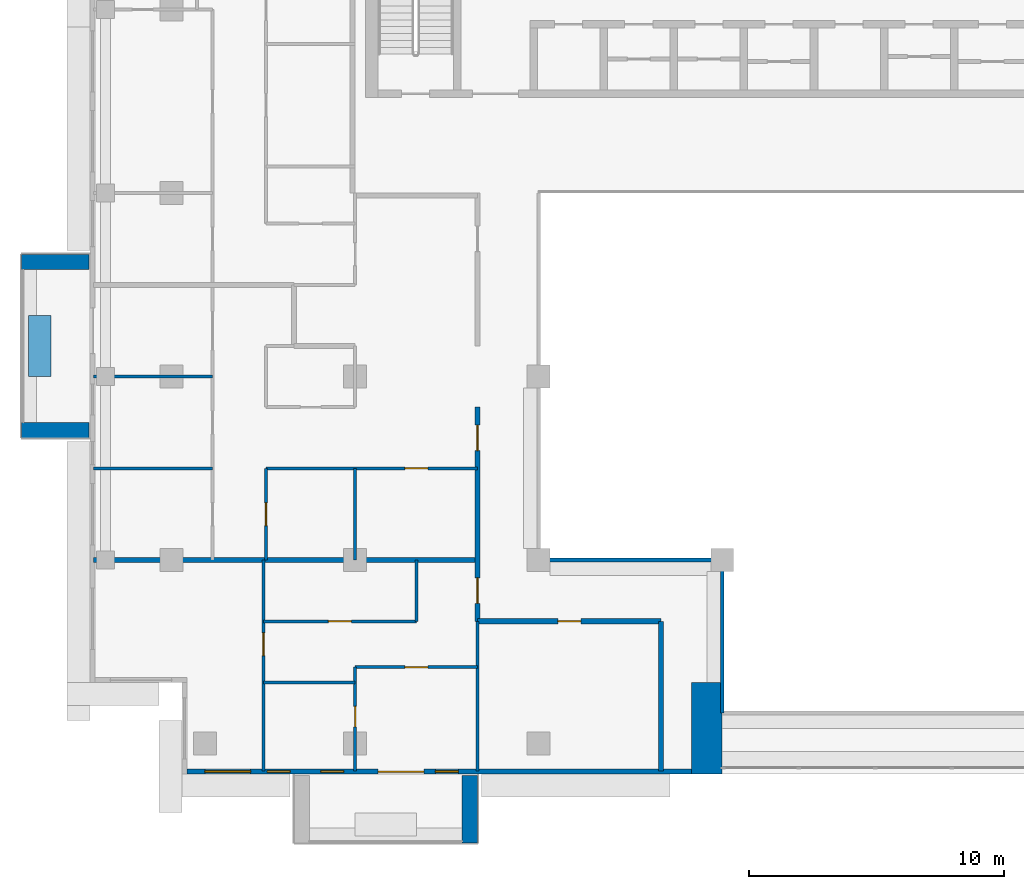
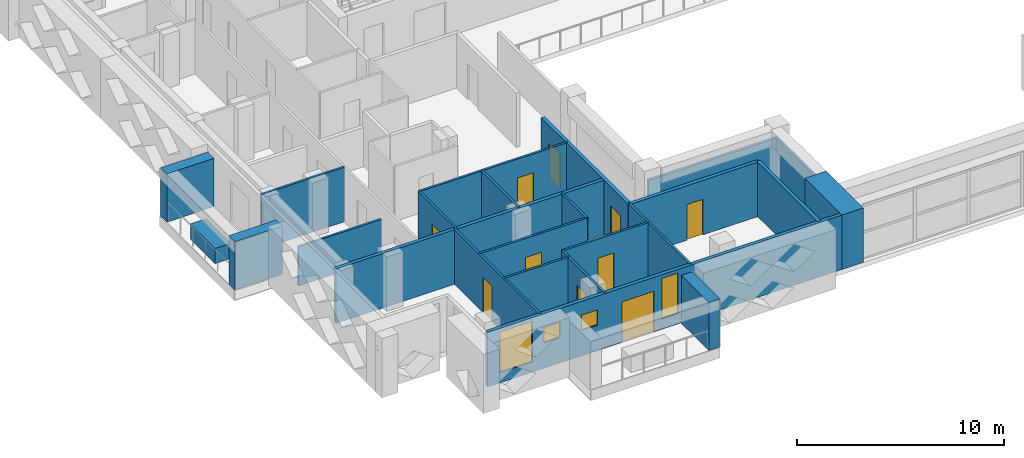
# One storey, part 6 of 19: 24 walls, 10 doors, 4 windows, 14 openings.
"""IFC4 building model written with IfcOpenShell, lengths in metres."""

from ifc_helpers import new_model, si_unit, direction, frame, frame_2d, origin, place, context, subcontext, project, spatial, rectangle, extrude, material, layer, layer_set, type_object, element, fill, save


model = new_model("IFC4")

# Units and contexts
model_context = context("Model", 3, precision=1e-05, world=origin(), true_north=direction((0.0, 1.0)))
body_context = subcontext(model_context, "Body", "Model", "MODEL_VIEW")
ifc_project = project(units=[si_unit("LENGTHUNIT", "METRE"), si_unit("AREAUNIT", "SQUARE_METRE"), si_unit("VOLUMEUNIT", "CUBIC_METRE"), si_unit("PLANEANGLEUNIT", "RADIAN"), si_unit("MASSUNIT", "GRAM", prefix="KILO")], contexts=[model_context])

# Site, building, storey
site_placement = place(None, origin())
site = spatial("IfcSite", under=ifc_project, at=site_placement, CompositionType="ELEMENT")
building_placement = place(site_placement, origin())
building = spatial("IfcBuilding", under=site, at=building_placement, Name="Saffron Iwan Residences", CompositionType="ELEMENT")
storey_placement = place(building_placement, frame((0.0, 0.0, 218.5)))
storey = spatial("IfcBuildingStorey", under=building, at=storey_placement, Name="L58", CompositionType="ELEMENT", Elevation=218.5)

# Walls
ifc_material_1 = material(Name="Fire-rated glazing", Category="glass")
ifc_layer_1 = layer(ifc_material_1, 0.14990234375)
ifc_layer_set_1 = layer_set([ifc_layer_1], Name="Fire-rated glazing")
wall_type_1 = type_object("IfcWallType", Name="Atrium glazed screen 150", PredefinedType="SOLIDWALL", material=ifc_layer_set_1)
wall_1_placement = place(storey_placement, frame((36.0, 48.0, 0.0), z_axis=(0.0, 0.0, 1.0), x_axis=(1.0, 0.0, 0.0)))
element("IfcWall", 1, at=wall_1_placement, inside=storey, type_object=wall_type_1, Name="W-L58-SCREEN-h48-36", PredefinedType="SOLIDWALL", context=body_context, shape_type="SweptSolid", body=[
    extrude(rectangle(XDim=7.199951171875, YDim=0.14990234375, at=frame_2d((3.60009765625, 0.0))), origin(), (0.0, 0.0, 1.0), 2.320068359375),
])
wall_2_placement = place(storey_placement, frame((43.199951171875, 42.0, 0.0), z_axis=(0.0, 0.0, 1.0), x_axis=(0.0, 1.0, 0.0)))
element("IfcWall", 2, at=wall_2_placement, inside=storey, type_object=wall_type_1, Name="W-L58-SCREEN-v43.2-42", PredefinedType="SOLIDWALL", context=body_context, shape_type="SweptSolid", body=[
    extrude(rectangle(XDim=6.0, YDim=0.14990234375, at=frame_2d((3.0, 0.0))), origin(), (0.0, 0.0, 1.0), 2.320068359375),
])
ifc_material_2 = material(Name="Concrete C50/60 white painted", Category="concrete")
ifc_layer_2 = layer(ifc_material_2, 0.60009765625)
ifc_layer_set_2 = layer_set([ifc_layer_2], Name="Concrete C50/60 white painted")
wall_type_2 = type_object("IfcWallType", Name="BALCONY FIN 600", PredefinedType="SOLIDWALL", material=ifc_layer_set_2)
for number, where, z_axis, x_axis, name in (
    (3, (18.35009765625, 59.699951171875, 0.0), (0.0, 0.0, 1.0), (-1.0, 0.0, 0.0), "Balcony fin L58 F8-1a"),
    (4, (18.35009765625, 53.10009765625, 0.0), (0.0, 0.0, 1.0), (-1.0, 0.0, 0.0), "Balcony fin L58 F8-1b"),
    (5, (33.300048828125, 39.550048828125, 0.0), (0.0, 0.0, 1.0), (0.0, -1.0, 0.0), "Balcony fin L58 11-0b"),
):
    element("IfcWall", number, at=place(storey_placement, frame(where, z_axis=z_axis, x_axis=x_axis)), inside=storey, type_object=wall_type_2, Name=name, PredefinedType="SOLIDWALL", context=body_context, shape_type="SweptSolid", body=[
        extrude(rectangle(XDim=2.650146484375, YDim=0.60009765625, at=frame_2d((1.3251953125, 0.0))), origin(), (0.0, 0.0, 1.0), 2.85009765625),
    ])
ifc_material_3 = material(Name="Concrete C35/45 white painted", Category="concrete")
ifc_layer_3 = layer(ifc_material_3, 0.14990234375)
ifc_layer_set_3 = layer_set([ifc_layer_3], Name="Concrete C35/45 white painted")
wall_type_3 = type_object("IfcWallType", Name="BALCONY PLANTER", PredefinedType="SOLIDWALL", material=ifc_layer_set_3)
wall_3_placement = place(storey_placement, frame((16.425048828125, 57.60009765625, 0.0), z_axis=(0.0, 0.0, 1.0), x_axis=(0.0, -1.0, 0.0)))
element("IfcWall", 6, at=wall_3_placement, inside=storey, type_object=wall_type_3, Name="PLANTER L58 F8-1", PredefinedType="SOLIDWALL", context=body_context, shape_type="SweptSolid", body=[
    extrude(rectangle(XDim=2.400146484375, YDim=0.89990234375, at=frame_2d((1.2001953125, 0.0))), origin(), (0.0, 0.0, 1.0), 0.89990234375),
])

# Wall, openings, door, windows
ifc_material_4 = material(Name="Concrete C40/50", Category="concrete")
ifc_layer_4 = layer(ifc_material_4, 0.199951171875)
ifc_layer_set_4 = layer_set([ifc_layer_4], Name="Concrete C40/50")
wall_type_4 = type_object("IfcWallType", Name="EXTERNAL WALL 200", PredefinedType="SOLIDWALL", material=ifc_layer_set_4)
wall_4_placement = place(storey_placement, frame((22.199951171875, 39.699951171875, 0.0), z_axis=(0.0, 0.0, 1.0), x_axis=(1.0, 0.0, 0.0)))
wall_4 = element("IfcWall", 7, at=wall_4_placement, inside=storey, type_object=wall_type_4, Name="External wall L58 F11.0", PredefinedType="SOLIDWALL", context=body_context, shape_type="SweptSolid", body=[
    extrude(rectangle(XDim=19.800048828125, YDim=0.199951171875, at=frame_2d((9.89990234375, 0.0))), origin(), (0.0, 0.0, 1.0), 3.219970703125),
])
opening_1_placement = place(wall_4_placement, frame((7.5, 0.0, 0.0)))
opening_1 = element("IfcOpeningElement", 8, at=opening_1_placement, cuts=wall_4, Name="Opening BD1", PredefinedType="OPENING", context=body_context, shape_type="SweptSolid", body=[
    extrude(rectangle(XDim=1.800048828125, YDim=2.39990234375, at=frame_2d((0.89990234375, 1.199951171875))), frame((0.0, 0.10986328125, 0.0), z_axis=(0.0, -1.0, 0.0), x_axis=(1.0, 0.0, 0.0)), (0.0, 0.0, 1.0), 0.219970703125),
])
opening_2_placement = place(wall_4_placement, frame((0.699951171875, 0.0, 0.60009765625)))
opening_2 = element("IfcOpeningElement", 9, at=opening_2_placement, cuts=wall_4, Name="Opening W8", PredefinedType="OPENING", context=body_context, shape_type="SweptSolid", body=[
    extrude(rectangle(XDim=1.800048828125, YDim=2.39990234375, at=frame_2d((0.89990234375, 1.199951171875))), frame((0.0, 0.10986328125, 0.0), z_axis=(0.0, -1.0, 0.0), x_axis=(1.0, 0.0, 0.0)), (0.0, 0.0, 1.0), 0.219970703125),
])
opening_3_placement = place(wall_4_placement, frame((9.75, 0.0, 0.60009765625)))
opening_3 = element("IfcOpeningElement", 10, at=opening_3_placement, cuts=wall_4, Name="Opening W10", PredefinedType="OPENING", context=body_context, shape_type="SweptSolid", body=[
    extrude(rectangle(XDim=0.89990234375, YDim=2.39990234375, at=frame_2d((0.449951171875, 1.199951171875))), frame((0.0, 0.10986328125, 0.0), z_axis=(0.0, -1.0, 0.0), x_axis=(1.0, 0.0, 0.0)), (0.0, 0.0, 1.0), 0.219970703125),
])
opening_4_placement = place(wall_4_placement, frame((3.14990234375, 0.0, 1.5)))
opening_4 = element("IfcOpeningElement", 11, at=opening_4_placement, cuts=wall_4, Name="Opening W6", PredefinedType="OPENING", context=body_context, shape_type="SweptSolid", body=[
    extrude(rectangle(XDim=0.89990234375, YDim=0.89990234375, at=frame_2d((0.449951171875, 0.449951171875))), frame((0.0, 0.10986328125, 0.0), z_axis=(0.0, -1.0, 0.0), x_axis=(1.0, 0.0, 0.0)), (0.0, 0.0, 1.0), 0.219970703125),
])
opening_5_placement = place(wall_4_placement, frame((5.25, 0.0, 1.5)))
opening_5 = element("IfcOpeningElement", 12, at=opening_5_placement, cuts=wall_4, Name="Opening W6", PredefinedType="OPENING", context=body_context, shape_type="SweptSolid", body=[
    extrude(rectangle(XDim=0.89990234375, YDim=0.89990234375, at=frame_2d((0.449951171875, 0.449951171875))), frame((0.0, 0.10986328125, 0.0), z_axis=(0.0, -1.0, 0.0), x_axis=(1.0, 0.0, 0.0)), (0.0, 0.0, 1.0), 0.219970703125),
])
ifc_material_5 = material(Name="Clear glass, laminated double glazed", Category="glass")
door_type_1 = type_object("IfcDoorType", Name="BALCONY DOOR 1800 x 2400", OperationType="DOUBLE_DOOR_SLIDING", PredefinedType="DOOR", material=ifc_material_5)
door_1_placement = place(opening_1_placement, origin())
door_1 = element("IfcDoor", 13, at=door_1_placement, inside=storey, type_object=door_type_1, Name="Balcony door L58 F11.0", OperationType="DOUBLE_DOOR_SLIDING", OverallHeight=2.39990234375, OverallWidth=1.800048828125, PredefinedType="DOOR", context=body_context, shape_type="SweptSolid", body=[
    extrude(rectangle(XDim=1.800048828125, YDim=2.39990234375, at=frame_2d((0.89990234375, 1.199951171875))), frame((0.0, 0.02490234375, 0.0), z_axis=(0.0, -1.0, 0.0), x_axis=(1.0, 0.0, 0.0)), (0.0, 0.0, 1.0), 0.050048828125),
])
fill(opening_1, door_1)
window_type_1 = type_object("IfcWindowType", Name="WINDOW 1800 x 2400", PartitioningType="DOUBLE_PANEL_VERTICAL", PredefinedType="WINDOW", material=ifc_material_5)
window_1_placement = place(opening_2_placement, origin())
window_1 = element("IfcWindow", 14, at=window_1_placement, inside=storey, type_object=window_type_1, Name="Window L58 F11.1", OverallHeight=2.39990234375, OverallWidth=1.800048828125, PartitioningType="DOUBLE_PANEL_VERTICAL", PredefinedType="WINDOW", context=body_context, shape_type="SweptSolid", body=[
    extrude(rectangle(XDim=1.800048828125, YDim=2.39990234375, at=frame_2d((0.89990234375, 1.199951171875))), frame((0.0, 0.030029296875, 0.0), z_axis=(0.0, -1.0, 0.0), x_axis=(1.0, 0.0, 0.0)), (0.0, 0.0, 1.0), 0.06005859375),
])
fill(opening_2, window_1)
window_type_2 = type_object("IfcWindowType", Name="WINDOW 900 x 2400", PartitioningType="SINGLE_PANEL", PredefinedType="WINDOW", material=ifc_material_5)
window_2_placement = place(opening_3_placement, origin())
window_2 = element("IfcWindow", 15, at=window_2_placement, inside=storey, type_object=window_type_2, Name="Window L58 F11.2", OverallHeight=2.39990234375, OverallWidth=0.89990234375, PartitioningType="SINGLE_PANEL", PredefinedType="WINDOW", context=body_context, shape_type="SweptSolid", body=[
    extrude(rectangle(XDim=0.89990234375, YDim=2.39990234375, at=frame_2d((0.449951171875, 1.199951171875))), frame((0.0, 0.030029296875, 0.0), z_axis=(0.0, -1.0, 0.0), x_axis=(1.0, 0.0, 0.0)), (0.0, 0.0, 1.0), 0.06005859375),
])
fill(opening_3, window_2)
window_type_3 = type_object("IfcWindowType", Name="WINDOW 900 x 900 BATH", PartitioningType="SINGLE_PANEL", PredefinedType="WINDOW", material=ifc_material_5)
window_3_placement = place(opening_4_placement, origin())
window_3 = element("IfcWindow", 16, at=window_3_placement, inside=storey, type_object=window_type_3, Name="Window L58 F11.3", OverallHeight=0.89990234375, OverallWidth=0.89990234375, PartitioningType="SINGLE_PANEL", PredefinedType="WINDOW", context=body_context, shape_type="SweptSolid", body=[
    extrude(rectangle(XDim=0.89990234375, YDim=0.89990234375, at=frame_2d((0.449951171875, 0.449951171875))), frame((0.0, 0.030029296875, 0.0), z_axis=(0.0, -1.0, 0.0), x_axis=(1.0, 0.0, 0.0)), (0.0, 0.0, 1.0), 0.06005859375),
])
fill(opening_4, window_3)
window_4_placement = place(opening_5_placement, origin())
window_4 = element("IfcWindow", 17, at=window_4_placement, inside=storey, type_object=window_type_3, Name="Window L58 F11.4", OverallHeight=0.89990234375, OverallWidth=0.89990234375, PartitioningType="SINGLE_PANEL", PredefinedType="WINDOW", context=body_context, shape_type="SweptSolid", body=[
    extrude(rectangle(XDim=0.89990234375, YDim=0.89990234375, at=frame_2d((0.449951171875, 0.449951171875))), frame((0.0, 0.030029296875, 0.0), z_axis=(0.0, -1.0, 0.0), x_axis=(1.0, 0.0, 0.0)), (0.0, 0.0, 1.0), 0.06005859375),
])
fill(opening_5, window_4)

# Walls
ifc_material_6 = material(Name="Fire-rated gypsum board wall")
ifc_layer_5 = layer(ifc_material_6, 0.199951171875)
ifc_layer_set_5 = layer_set([ifc_layer_5], Name="Fire-rated gypsum board wall")
wall_type_5 = type_object("IfcWallType", Name="Flat demising wall 200", PredefinedType="SOLIDWALL", material=ifc_layer_set_5)
wall_5_placement = place(storey_placement, frame((18.52490234375, 48.0, 0.0), z_axis=(0.0, 0.0, 1.0), x_axis=(1.0, 0.0, 0.0)))
element("IfcWall", 18, at=wall_5_placement, inside=storey, type_object=wall_type_5, Name="W-L58-DEMISE-h48-18.525", PredefinedType="SOLIDWALL", context=body_context, shape_type="SweptSolid", body=[
    extrude(rectangle(XDim=15.0751953125, YDim=0.199951171875, at=frame_2d((7.53759765625, 0.0))), origin(), (0.0, 0.0, 1.0), 3.219970703125),
])
ifc_material_7 = material(Name="Gypsum board partition")
ifc_layer_6 = layer(ifc_material_7, 0.1201171875)
ifc_layer_set_6 = layer_set([ifc_layer_6], Name="Gypsum board partition")
wall_type_6 = type_object("IfcWallType", Name="Flat partition 120", PredefinedType="PARTITIONING", material=ifc_layer_set_6)
wall_6_placement = place(storey_placement, frame((25.199951171875, 43.199951171875, 0.0), z_axis=(0.0, 0.0, 1.0), x_axis=(1.0, 0.0, 0.0)))
element("IfcWall", 19, at=wall_6_placement, inside=storey, type_object=wall_type_6, Name="W-L58-PART-h43.2-25.2", PredefinedType="PARTITIONING", context=body_context, shape_type="SweptSolid", body=[
    extrude(rectangle(XDim=3.60009765625, YDim=0.1201171875, at=frame_2d((1.800048828125, 0.0))), origin(), (0.0, 0.0, 1.0), 3.219970703125),
])

# Wall, opening, door
wall_7_placement = place(storey_placement, frame((28.800048828125, 43.800048828125, 0.0), z_axis=(0.0, 0.0, 1.0), x_axis=(1.0, 0.0, 0.0)))
wall_7 = element("IfcWall", 20, at=wall_7_placement, inside=storey, type_object=wall_type_6, Name="W-L58-PART-h43.8-28.8", PredefinedType="PARTITIONING", context=body_context, shape_type="SweptSolid", body=[
    extrude(rectangle(XDim=4.800048828125, YDim=0.1201171875, at=frame_2d((2.39990234375, 0.0))), origin(), (0.0, 0.0, 1.0), 3.219970703125),
])
opening_6_placement = place(wall_7_placement, frame((1.949951171875, 0.0, 0.0)))
opening_6 = element("IfcOpeningElement", 21, at=opening_6_placement, cuts=wall_7, Name="Opening FD2", PredefinedType="OPENING", context=body_context, shape_type="SweptSolid", body=[
    extrude(rectangle(XDim=0.89990234375, YDim=2.10009765625, at=frame_2d((0.449951171875, 1.050048828125))), frame((0.0, 0.070068359375, 0.0), z_axis=(0.0, -1.0, 0.0), x_axis=(1.0, 0.0, 0.0)), (0.0, 0.0, 1.0), 0.14013671875),
])
ifc_material_8 = material(Name="Timber door", Category="wood")
door_type_2 = type_object("IfcDoorType", Name="Flat door 900", OperationType="NOTDEFINED", PredefinedType="DOOR", material=ifc_material_8)
door_2_placement = place(opening_6_placement, origin())
door_2 = element("IfcDoor", 22, at=door_2_placement, inside=storey, type_object=door_type_2, Name="Door L58-003", OperationType="SINGLE_SWING_RIGHT", OverallHeight=2.10009765625, OverallWidth=0.89990234375, PredefinedType="DOOR", context=body_context, shape_type="SweptSolid", body=[
    extrude(rectangle(XDim=0.89990234375, YDim=2.10009765625, at=frame_2d((0.449951171875, 1.050048828125))), frame((0.0, 0.02490234375, 0.0), z_axis=(0.0, -1.0, 0.0), x_axis=(1.0, 0.0, 0.0)), (0.0, 0.0, 1.0), 0.050048828125),
])
fill(opening_6, door_2)

wall_8_placement = place(storey_placement, frame((25.199951171875, 45.60009765625, 0.0), z_axis=(0.0, 0.0, 1.0), x_axis=(1.0, 0.0, 0.0)))
wall_8 = element("IfcWall", 23, at=wall_8_placement, inside=storey, type_object=wall_type_6, Name="W-L58-PART-h45.6-25.2", PredefinedType="PARTITIONING", context=body_context, shape_type="SweptSolid", body=[
    extrude(rectangle(XDim=6.0, YDim=0.1201171875, at=frame_2d((3.0, 0.0))), origin(), (0.0, 0.0, 1.0), 3.219970703125),
])
opening_7_placement = place(wall_8_placement, frame((2.550048828125, 0.0, 0.0)))
opening_7 = element("IfcOpeningElement", 24, at=opening_7_placement, cuts=wall_8, Name="Opening FD2", PredefinedType="OPENING", context=body_context, shape_type="SweptSolid", body=[
    extrude(rectangle(XDim=0.89990234375, YDim=2.10009765625, at=frame_2d((0.449951171875, 1.050048828125))), frame((0.0, 0.070068359375, 0.0), z_axis=(0.0, -1.0, 0.0), x_axis=(1.0, 0.0, 0.0)), (0.0, 0.0, 1.0), 0.14013671875),
])
door_3_placement = place(opening_7_placement, origin())
door_3 = element("IfcDoor", 25, at=door_3_placement, inside=storey, type_object=door_type_2, Name="Door L58-005", OperationType="SINGLE_SWING_LEFT", OverallHeight=2.10009765625, OverallWidth=0.89990234375, PredefinedType="DOOR", context=body_context, shape_type="SweptSolid", body=[
    extrude(rectangle(XDim=0.89990234375, YDim=2.10009765625, at=frame_2d((0.449951171875, 1.050048828125))), frame((0.0, 0.02490234375, 0.0), z_axis=(0.0, -1.0, 0.0), x_axis=(1.0, 0.0, 0.0)), (0.0, 0.0, 1.0), 0.050048828125),
])
fill(opening_7, door_3)

# Wall
wall_9_placement = place(storey_placement, frame((18.52490234375, 51.60009765625, 0.0), z_axis=(0.0, 0.0, 1.0), x_axis=(1.0, 0.0, 0.0)))
element("IfcWall", 26, at=wall_9_placement, inside=storey, type_object=wall_type_6, Name="W-L58-PART-h51.6-18.525", PredefinedType="PARTITIONING", context=body_context, shape_type="SweptSolid", body=[
    extrude(rectangle(XDim=4.675048828125, YDim=0.1201171875, at=frame_2d((2.33740234375, 0.0))), origin(), (0.0, 0.0, 1.0), 2.320068359375),
])

# Wall, opening, door
wall_10_placement = place(storey_placement, frame((25.300048828125, 51.60009765625, 0.0), z_axis=(0.0, 0.0, 1.0), x_axis=(1.0, 0.0, 0.0)))
wall_10 = element("IfcWall", 27, at=wall_10_placement, inside=storey, type_object=wall_type_6, Name="W-L58-PART-h51.6-25.3", PredefinedType="PARTITIONING", context=body_context, shape_type="SweptSolid", body=[
    extrude(rectangle(XDim=8.300048828125, YDim=0.1201171875, at=frame_2d((4.14990234375, 0.0))), origin(), (0.0, 0.0, 1.0), 3.219970703125),
])
opening_8_placement = place(wall_10_placement, frame((5.449951171875, 0.0, 0.0)))
opening_8 = element("IfcOpeningElement", 28, at=opening_8_placement, cuts=wall_10, Name="Opening FD2", PredefinedType="OPENING", context=body_context, shape_type="SweptSolid", body=[
    extrude(rectangle(XDim=0.89990234375, YDim=2.10009765625, at=frame_2d((0.449951171875, 1.050048828125))), frame((0.0, 0.070068359375, 0.0), z_axis=(0.0, -1.0, 0.0), x_axis=(1.0, 0.0, 0.0)), (0.0, 0.0, 1.0), 0.14013671875),
])
door_4_placement = place(opening_8_placement, origin())
door_4 = element("IfcDoor", 29, at=door_4_placement, inside=storey, type_object=door_type_2, Name="Door L58-013", OperationType="SINGLE_SWING_LEFT", OverallHeight=2.10009765625, OverallWidth=0.89990234375, PredefinedType="DOOR", context=body_context, shape_type="SweptSolid", body=[
    extrude(rectangle(XDim=0.89990234375, YDim=2.10009765625, at=frame_2d((0.449951171875, 1.050048828125))), frame((0.0, 0.02490234375, 0.0), z_axis=(0.0, -1.0, 0.0), x_axis=(1.0, 0.0, 0.0)), (0.0, 0.0, 1.0), 0.050048828125),
])
fill(opening_8, door_4)

# Wall
wall_11_placement = place(storey_placement, frame((18.52490234375, 55.199951171875, 0.0), z_axis=(0.0, 0.0, 1.0), x_axis=(1.0, 0.0, 0.0)))
element("IfcWall", 30, at=wall_11_placement, inside=storey, type_object=wall_type_6, Name="W-L58-PART-h55.2-18.525", PredefinedType="PARTITIONING", context=body_context, shape_type="SweptSolid", body=[
    extrude(rectangle(XDim=4.675048828125, YDim=0.1201171875, at=frame_2d((2.33740234375, 0.0))), origin(), (0.0, 0.0, 1.0), 3.219970703125),
])

# Wall, opening, door
wall_12_placement = place(storey_placement, frame((25.199951171875, 39.72509765625, 0.0), z_axis=(0.0, 0.0, 1.0), x_axis=(0.0, 1.0, 0.0)))
wall_12 = element("IfcWall", 31, at=wall_12_placement, inside=storey, type_object=wall_type_6, Name="W-L58-PART-v25.2-39.725", PredefinedType="PARTITIONING", context=body_context, shape_type="SweptSolid", body=[
    extrude(rectangle(XDim=8.27490234375, YDim=0.1201171875, at=frame_2d((4.137451171875, 0.0))), origin(), (0.0, 0.0, 1.0), 3.219970703125),
])
opening_9_placement = place(wall_12_placement, frame((4.52490234375, 0.0, 0.0)))
opening_9 = element("IfcOpeningElement", 32, at=opening_9_placement, cuts=wall_12, Name="Opening FD2", PredefinedType="OPENING", context=body_context, shape_type="SweptSolid", body=[
    extrude(rectangle(XDim=0.89990234375, YDim=2.10009765625, at=frame_2d((0.449951171875, 1.050048828125))), frame((0.0, 0.070068359375, 0.0), z_axis=(0.0, -1.0, 0.0), x_axis=(1.0, 0.0, 0.0)), (0.0, 0.0, 1.0), 0.14013671875),
])
door_5_placement = place(opening_9_placement, origin())
door_5 = element("IfcDoor", 33, at=door_5_placement, inside=storey, type_object=door_type_2, Name="Door L58-002", OperationType="SINGLE_SWING_LEFT", OverallHeight=2.10009765625, OverallWidth=0.89990234375, PredefinedType="DOOR", context=body_context, shape_type="SweptSolid", body=[
    extrude(rectangle(XDim=0.89990234375, YDim=2.10009765625, at=frame_2d((0.449951171875, 1.050048828125))), frame((0.0, 0.02490234375, 0.0), z_axis=(0.0, -1.0, 0.0), x_axis=(1.0, 0.0, 0.0)), (0.0, 0.0, 1.0), 0.050048828125),
])
fill(opening_9, door_5)

wall_13_placement = place(storey_placement, frame((25.300048828125, 48.0, 0.0), z_axis=(0.0, 0.0, 1.0), x_axis=(0.0, 1.0, 0.0)))
wall_13 = element("IfcWall", 34, at=wall_13_placement, inside=storey, type_object=wall_type_6, Name="W-L58-PART-v25.3-48", PredefinedType="PARTITIONING", context=body_context, shape_type="SweptSolid", body=[
    extrude(rectangle(XDim=3.60009765625, YDim=0.1201171875, at=frame_2d((1.800048828125, 0.0))), origin(), (0.0, 0.0, 1.0), 3.219970703125),
])
opening_10_placement = place(wall_13_placement, frame((1.35009765625, 0.0, 0.0)))
opening_10 = element("IfcOpeningElement", 35, at=opening_10_placement, cuts=wall_13, Name="Opening FD2", PredefinedType="OPENING", context=body_context, shape_type="SweptSolid", body=[
    extrude(rectangle(XDim=0.89990234375, YDim=2.10009765625, at=frame_2d((0.449951171875, 1.050048828125))), frame((0.0, 0.070068359375, 0.0), z_axis=(0.0, -1.0, 0.0), x_axis=(1.0, 0.0, 0.0)), (0.0, 0.0, 1.0), 0.14013671875),
])
door_6_placement = place(opening_10_placement, origin())
door_6 = element("IfcDoor", 36, at=door_6_placement, inside=storey, type_object=door_type_2, Name="Door L58-011", OperationType="SINGLE_SWING_LEFT", OverallHeight=2.10009765625, OverallWidth=0.89990234375, PredefinedType="DOOR", context=body_context, shape_type="SweptSolid", body=[
    extrude(rectangle(XDim=0.89990234375, YDim=2.10009765625, at=frame_2d((0.449951171875, 1.050048828125))), frame((0.0, 0.02490234375, 0.0), z_axis=(0.0, -1.0, 0.0), x_axis=(1.0, 0.0, 0.0)), (0.0, 0.0, 1.0), 0.050048828125),
])
fill(opening_10, door_6)

wall_14_placement = place(storey_placement, frame((28.800048828125, 39.72509765625, 0.0), z_axis=(0.0, 0.0, 1.0), x_axis=(0.0, 1.0, 0.0)))
wall_14 = element("IfcWall", 37, at=wall_14_placement, inside=storey, type_object=wall_type_6, Name="W-L58-PART-v28.8-39.725", PredefinedType="PARTITIONING", context=body_context, shape_type="SweptSolid", body=[
    extrude(rectangle(XDim=4.074951171875, YDim=0.1201171875, at=frame_2d((2.03759765625, 0.0))), origin(), (0.0, 0.0, 1.0), 3.219970703125),
])
opening_11_placement = place(wall_14_placement, frame((1.737548828125, 0.0, 0.0)))
opening_11 = element("IfcOpeningElement", 38, at=opening_11_placement, cuts=wall_14, Name="Opening FD3", PredefinedType="OPENING", context=body_context, shape_type="SweptSolid", body=[
    extrude(rectangle(XDim=0.800048828125, YDim=2.10009765625, at=frame_2d((0.39990234375, 1.050048828125))), frame((0.0, 0.070068359375, 0.0), z_axis=(0.0, -1.0, 0.0), x_axis=(1.0, 0.0, 0.0)), (0.0, 0.0, 1.0), 0.14013671875),
])
door_type_3 = type_object("IfcDoorType", Name="Bathroom door 800", OperationType="NOTDEFINED", PredefinedType="DOOR", material=ifc_material_8)
door_7_placement = place(opening_11_placement, origin())
door_7 = element("IfcDoor", 39, at=door_7_placement, inside=storey, type_object=door_type_3, Name="Door L58-004", OperationType="SINGLE_SWING_RIGHT", OverallHeight=2.10009765625, OverallWidth=0.800048828125, PredefinedType="DOOR", context=body_context, shape_type="SweptSolid", body=[
    extrude(rectangle(XDim=0.800048828125, YDim=2.10009765625, at=frame_2d((0.39990234375, 1.050048828125))), frame((0.0, 0.02490234375, 0.0), z_axis=(0.0, -1.0, 0.0), x_axis=(1.0, 0.0, 0.0)), (0.0, 0.0, 1.0), 0.050048828125),
])
fill(opening_11, door_7)

# Walls
wall_15_placement = place(storey_placement, frame((28.800048828125, 48.0, 0.0), z_axis=(0.0, 0.0, 1.0), x_axis=(0.0, 1.0, 0.0)))
element("IfcWall", 40, at=wall_15_placement, inside=storey, type_object=wall_type_6, Name="W-L58-PART-v28.8-48", PredefinedType="PARTITIONING", context=body_context, shape_type="SweptSolid", body=[
    extrude(rectangle(XDim=3.60009765625, YDim=0.1201171875, at=frame_2d((1.800048828125, 0.0))), origin(), (0.0, 0.0, 1.0), 3.219970703125),
])
wall_16_placement = place(storey_placement, frame((31.199951171875, 45.60009765625, 0.0), z_axis=(0.0, 0.0, 1.0), x_axis=(0.0, 1.0, 0.0)))
element("IfcWall", 41, at=wall_16_placement, inside=storey, type_object=wall_type_6, Name="W-L58-PART-v31.2-45.6", PredefinedType="PARTITIONING", context=body_context, shape_type="SweptSolid", body=[
    extrude(rectangle(XDim=2.39990234375, YDim=0.1201171875, at=frame_2d((1.199951171875, 0.0))), origin(), (0.0, 0.0, 1.0), 3.219970703125),
])
wall_17_placement = place(storey_placement, frame((33.60009765625, 39.72509765625, 0.0), z_axis=(0.0, 0.0, 1.0), x_axis=(0.0, 1.0, 0.0)))
element("IfcWall", 42, at=wall_17_placement, inside=storey, type_object=wall_type_6, Name="W-L58-PART-v33.6-39.725", PredefinedType="PARTITIONING", context=body_context, shape_type="SweptSolid", body=[
    extrude(rectangle(XDim=5.875, YDim=0.1201171875, at=frame_2d((2.9375, 0.0))), origin(), (0.0, 0.0, 1.0), 3.219970703125),
])

# Wall, opening, door
ifc_layer_7 = layer(ifc_material_6, 0.199951171875)
ifc_layer_set_7 = layer_set([ifc_layer_7], Name="Fire-rated gypsum board wall")
wall_type_7 = type_object("IfcWallType", Name="Gallery wall 200", PredefinedType="SOLIDWALL", material=ifc_layer_set_7)
wall_18_placement = place(storey_placement, frame((33.60009765625, 45.60009765625, 0.0), z_axis=(0.0, 0.0, 1.0), x_axis=(1.0, 0.0, 0.0)))
wall_18 = element("IfcWall", 43, at=wall_18_placement, inside=storey, type_object=wall_type_7, Name="W-L58-CORR-h45.6-33.6", PredefinedType="SOLIDWALL", context=body_context, shape_type="SweptSolid", body=[
    extrude(rectangle(XDim=7.199951171875, YDim=0.199951171875, at=frame_2d((3.60009765625, 0.0))), origin(), (0.0, 0.0, 1.0), 3.219970703125),
])
opening_12_placement = place(wall_18_placement, frame((3.14990234375, 0.0, 0.0)))
opening_12 = element("IfcOpeningElement", 44, at=opening_12_placement, cuts=wall_18, Name="Opening FD2", PredefinedType="OPENING", context=body_context, shape_type="SweptSolid", body=[
    extrude(rectangle(XDim=0.89990234375, YDim=2.10009765625, at=frame_2d((0.449951171875, 1.050048828125))), frame((0.0, 0.10986328125, 0.0), z_axis=(0.0, -1.0, 0.0), x_axis=(1.0, 0.0, 0.0)), (0.0, 0.0, 1.0), 0.219970703125),
])
door_8_placement = place(opening_12_placement, origin())
door_8 = element("IfcDoor", 45, at=door_8_placement, inside=storey, type_object=door_type_2, Name="Door L58-006", OperationType="SINGLE_SWING_RIGHT", OverallHeight=2.10009765625, OverallWidth=0.89990234375, PredefinedType="DOOR", context=body_context, shape_type="SweptSolid", body=[
    extrude(rectangle(XDim=0.89990234375, YDim=2.10009765625, at=frame_2d((0.449951171875, 1.050048828125))), frame((0.0, 0.02490234375, 0.0), z_axis=(0.0, -1.0, 0.0), x_axis=(1.0, 0.0, 0.0)), (0.0, 0.0, 1.0), 0.050048828125),
])
fill(opening_12, door_8)

# Wall, openings, doors
wall_19_placement = place(storey_placement, frame((33.60009765625, 45.60009765625, 0.0), z_axis=(0.0, 0.0, 1.0), x_axis=(0.0, 1.0, 0.0)))
wall_19 = element("IfcWall", 46, at=wall_19_placement, inside=storey, type_object=wall_type_7, Name="W-L58-CORR-v33.6-45.6", PredefinedType="SOLIDWALL", context=body_context, shape_type="SweptSolid", body=[
    extrude(rectangle(XDim=8.39990234375, YDim=0.199951171875, at=frame_2d((4.199951171875, 0.0))), origin(), (0.0, 0.0, 1.0), 3.219970703125),
])
opening_13_placement = place(wall_19_placement, frame((0.699951171875, 0.0, 0.0)))
opening_13 = element("IfcOpeningElement", 47, at=opening_13_placement, cuts=wall_19, Name="Opening FD1", PredefinedType="OPENING", context=body_context, shape_type="SweptSolid", body=[
    extrude(rectangle(XDim=1.0, YDim=2.10009765625, at=frame_2d((0.5, 1.050048828125))), frame((0.0, 0.10986328125, 0.0), z_axis=(0.0, -1.0, 0.0), x_axis=(1.0, 0.0, 0.0)), (0.0, 0.0, 1.0), 0.219970703125),
])
opening_14_placement = place(wall_19_placement, frame((6.699951171875, 0.0, 0.0)))
opening_14 = element("IfcOpeningElement", 48, at=opening_14_placement, cuts=wall_19, Name="Opening FD1", PredefinedType="OPENING", context=body_context, shape_type="SweptSolid", body=[
    extrude(rectangle(XDim=1.0, YDim=2.10009765625, at=frame_2d((0.5, 1.050048828125))), frame((0.0, 0.10986328125, 0.0), z_axis=(0.0, -1.0, 0.0), x_axis=(1.0, 0.0, 0.0)), (0.0, 0.0, 1.0), 0.219970703125),
])
ifc_material_9 = material(Name="Fire-rated timber door", Category="wood")
door_type_4 = type_object("IfcDoorType", Name="FD30S flat entrance door 1000", OperationType="NOTDEFINED", PredefinedType="DOOR", material=ifc_material_9)
door_9_placement = place(opening_13_placement, origin())
door_9 = element("IfcDoor", 49, at=door_9_placement, inside=storey, type_object=door_type_4, Name="Door L58-001", OperationType="SINGLE_SWING_LEFT", OverallHeight=2.10009765625, OverallWidth=1.0, PredefinedType="DOOR", context=body_context, shape_type="SweptSolid", body=[
    extrude(rectangle(XDim=1.0, YDim=2.10009765625, at=frame_2d((0.5, 1.050048828125))), frame((0.0, 0.02490234375, 0.0), z_axis=(0.0, -1.0, 0.0), x_axis=(1.0, 0.0, 0.0)), (0.0, 0.0, 1.0), 0.050048828125),
])
fill(opening_13, door_9)
door_10_placement = place(opening_14_placement, origin())
door_10 = element("IfcDoor", 50, at=door_10_placement, inside=storey, type_object=door_type_4, Name="Door L58-007", OperationType="SINGLE_SWING_LEFT", OverallHeight=2.10009765625, OverallWidth=1.0, PredefinedType="DOOR", context=body_context, shape_type="SweptSolid", body=[
    extrude(rectangle(XDim=1.0, YDim=2.10009765625, at=frame_2d((0.5, 1.050048828125))), frame((0.0, 0.02490234375, 0.0), z_axis=(0.0, -1.0, 0.0), x_axis=(1.0, 0.0, 0.0)), (0.0, 0.0, 1.0), 0.050048828125),
])
fill(opening_14, door_10)

# Walls
wall_20_placement = place(storey_placement, frame((40.800048828125, 39.72509765625, 0.0), z_axis=(0.0, 0.0, 1.0), x_axis=(0.0, 1.0, 0.0)))
element("IfcWall", 51, at=wall_20_placement, inside=storey, type_object=wall_type_7, Name="W-L58-CORR-v40.8-39.725", PredefinedType="SOLIDWALL", context=body_context, shape_type="SweptSolid", body=[
    extrude(rectangle(XDim=5.875, YDim=0.199951171875, at=frame_2d((2.9375, 0.0))), origin(), (0.0, 0.0, 1.0), 3.219970703125),
])
ifc_layer_8 = layer(ifc_material_4, 1.199951171875)
ifc_layer_set_8 = layer_set([ifc_layer_8], Name="Concrete C40/50")
wall_type_8 = type_object("IfcWallType", Name="WALL IWAN PIER 1200 C40/50 3220 HIGH", PredefinedType="SHEAR", material=ifc_layer_set_8)
wall_21_placement = place(storey_placement, frame((42.60009765625, 39.60009765625, 0.0), z_axis=(0.0, 0.0, 1.0), x_axis=(0.0, 1.0, 0.0)))
element("IfcWall", 52, at=wall_21_placement, inside=storey, type_object=wall_type_8, Name="IWAN PIER", PredefinedType="SHEAR", context=body_context, shape_type="SweptSolid", body=[
    extrude(rectangle(XDim=3.599853515625, YDim=1.199951171875, at=frame_2d((1.7998046875, 0.0))), origin(), (0.0, 0.0, 1.0), 3.219970703125),
])

save(model, "model.ifc")
